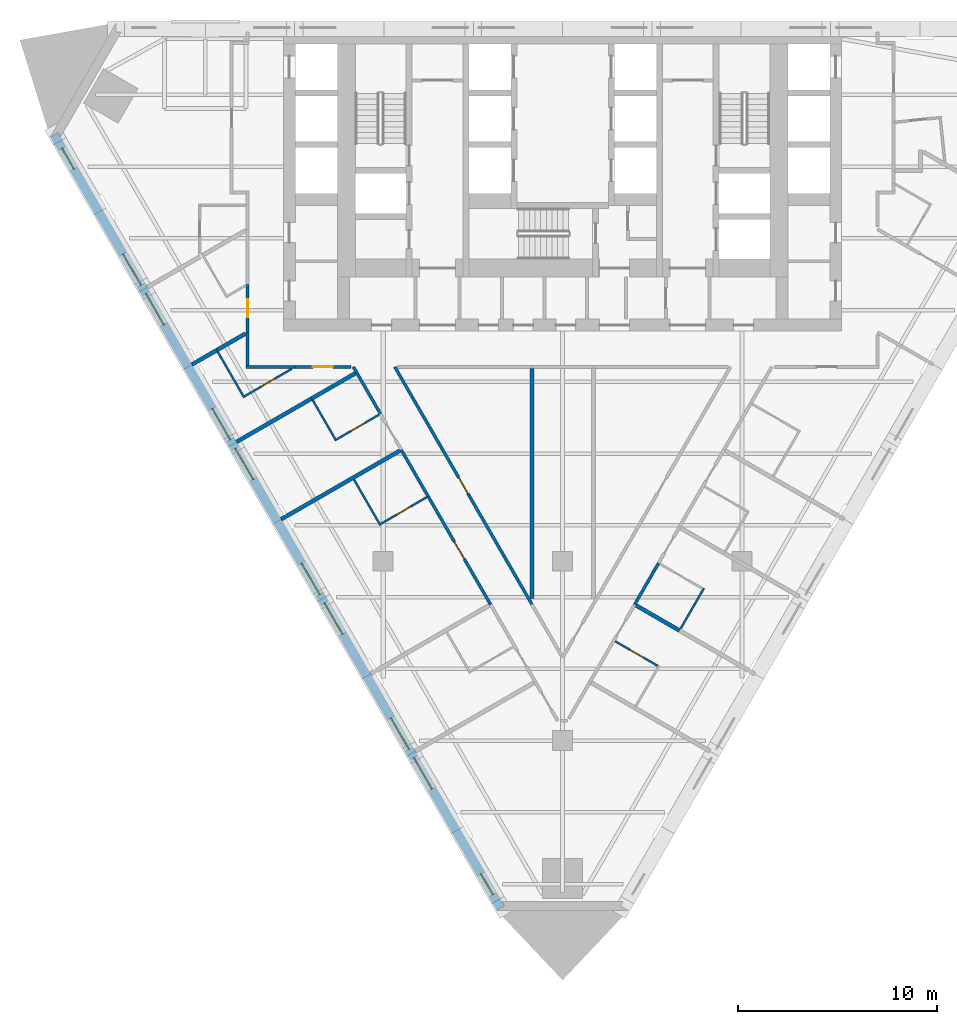
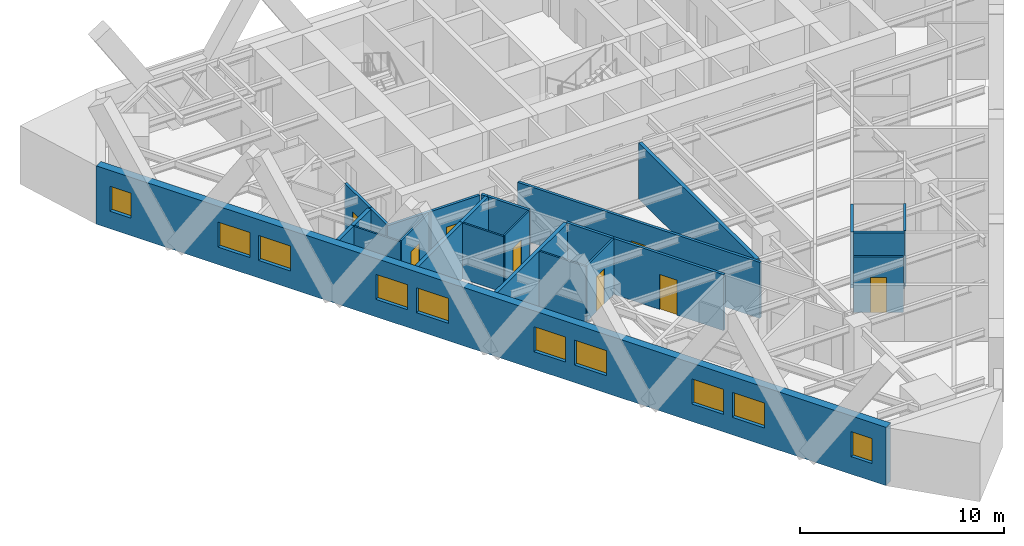
# One storey, part 3 of 9: 26 walls, 10 windows, 8 doors, 18 openings.
"""IFC4 building model written with IfcOpenShell, lengths in metres."""

from ifc_helpers import new_model, si_unit, direction, frame, frame_2d, origin, place, context, subcontext, project, spatial, polyline, rectangle, outline, extrude, material, layer, layer_set, type_object, element, fill, save


model = new_model("IFC4")

# Units and contexts
model_context = context("Model", 3, precision=1e-05, world=origin(), true_north=direction((0.0, 1.0)))
body_context = subcontext(model_context, "Body", "Model", "MODEL_VIEW")
ifc_project = project(units=[si_unit("LENGTHUNIT", "METRE"), si_unit("AREAUNIT", "SQUARE_METRE"), si_unit("VOLUMEUNIT", "CUBIC_METRE"), si_unit("PLANEANGLEUNIT", "RADIAN"), si_unit("MASSUNIT", "GRAM", prefix="KILO")], contexts=[model_context])

# Site, building, storey
site_placement = place(None, origin())
site = spatial("IfcSite", under=ifc_project, at=site_placement, CompositionType="ELEMENT")
building_placement = place(site_placement, origin())
building = spatial("IfcBuilding", under=site, at=building_placement, Name="Aloe Facet Convention Tower", CompositionType="ELEMENT")
storey_placement = place(building_placement, frame((0.0, 0.0, 42.0)))
storey = spatial("IfcBuildingStorey", under=building, at=storey_placement, Name="L08", CompositionType="ELEMENT", Elevation=42.0)

# Wall, openings, windows
ifc_material_1 = material(Name="Precast concrete C40/50", Category="concrete")
ifc_layer_1 = layer(ifc_material_1, 0.449951171875)
ifc_layer_set_1 = layer_set([ifc_layer_1], Name="EV-WALL-STONE")
wall_type_1 = type_object("IfcWallType", Name="EV-WALL-STONE", PredefinedType="SOLIDWALL", material=ifc_layer_set_1)
wall_1_placement = place(storey_placement, frame((54.494873046875, 129.396728515625, -0.14990234375), z_axis=(0.0, 0.0, 1.0), x_axis=(0.499999201451, -0.866025864826, 0.0)))
wall_1 = element("IfcWall", 1, at=wall_1_placement, inside=storey, type_object=wall_type_1, Name="EW-L08-W01", PredefinedType="SOLIDWALL", context=body_context, shape_type="SweptSolid", body=[
    extrude(outline(polyline([(44.800048828125, 0.0), (44.800048828125, 3.5), (0.0, 3.5), (0.0, 0.0), (44.800048828125, 0.0)])), frame((0.0, 0.22509765625, 0.0), z_axis=(0.0, -1.0, 0.0), x_axis=(1.0, 0.0, 0.0)), (0.0, 0.0, 1.0), 0.449951171875),
])
opening_1_placement = place(wall_1_placement, frame((0.7861328125, 0.0, 1.050048828125)))
opening_1 = element("IfcOpeningElement", 2, at=opening_1_placement, cuts=wall_1, Name="Opening W-L08-W01", PredefinedType="OPENING", context=body_context, shape_type="SweptSolid", body=[
    extrude(rectangle(XDim=1.199951171875, YDim=1.5, at=frame_2d((0.60009765625, 0.75))), frame((0.0, 0.23486328125, 0.0), z_axis=(0.0, -1.0, 0.0), x_axis=(1.0, 0.0, 0.0)), (0.0, 0.0, 1.0), 0.469970703125),
])
opening_2_placement = place(wall_1_placement, frame((6.909912109375, 0.0, 1.050048828125)))
opening_2 = element("IfcOpeningElement", 3, at=opening_2_placement, cuts=wall_1, Name="Opening W-L08-W02", PredefinedType="OPENING", context=body_context, shape_type="SweptSolid", body=[
    extrude(rectangle(XDim=1.800048828125, YDim=1.5, at=frame_2d((0.89990234375, 0.75))), frame((0.0, 0.23486328125, 0.0), z_axis=(0.0, -1.0, 0.0), x_axis=(1.0, 0.0, 0.0)), (0.0, 0.0, 1.0), 0.469970703125),
])
opening_3_placement = place(wall_1_placement, frame((9.2099609375, 0.0, 1.050048828125)))
opening_3 = element("IfcOpeningElement", 4, at=opening_3_placement, cuts=wall_1, Name="Opening W-L08-W03", PredefinedType="OPENING", context=body_context, shape_type="SweptSolid", body=[
    extrude(rectangle(XDim=1.800048828125, YDim=1.5, at=frame_2d((0.89990234375, 0.75))), frame((0.0, 0.23486328125, 0.0), z_axis=(0.0, -1.0, 0.0), x_axis=(1.0, 0.0, 0.0)), (0.0, 0.0, 1.0), 0.469970703125),
])
opening_4_placement = place(wall_1_placement, frame((15.8701171875, 0.0, 1.050048828125)))
opening_4 = element("IfcOpeningElement", 5, at=opening_4_placement, cuts=wall_1, Name="Opening W-L08-W04", PredefinedType="OPENING", context=body_context, shape_type="SweptSolid", body=[
    extrude(rectangle(XDim=1.800048828125, YDim=1.5, at=frame_2d((0.89990234375, 0.75))), frame((0.0, 0.23486328125, 0.0), z_axis=(0.0, -1.0, 0.0), x_axis=(1.0, 0.0, 0.0)), (0.0, 0.0, 1.0), 0.469970703125),
])
opening_5_placement = place(wall_1_placement, frame((18.169921875, 0.0, 1.050048828125)))
opening_5 = element("IfcOpeningElement", 6, at=opening_5_placement, cuts=wall_1, Name="Opening W-L08-W05", PredefinedType="OPENING", context=body_context, shape_type="SweptSolid", body=[
    extrude(rectangle(XDim=1.800048828125, YDim=1.5, at=frame_2d((0.89990234375, 0.75))), frame((0.0, 0.23486328125, 0.0), z_axis=(0.0, -1.0, 0.0), x_axis=(1.0, 0.0, 0.0)), (0.0, 0.0, 1.0), 0.469970703125),
])
opening_6_placement = place(wall_1_placement, frame((24.830078125, 0.0, 1.050048828125)))
opening_6 = element("IfcOpeningElement", 7, at=opening_6_placement, cuts=wall_1, Name="Opening W-L08-W06", PredefinedType="OPENING", context=body_context, shape_type="SweptSolid", body=[
    extrude(rectangle(XDim=1.800048828125, YDim=1.5, at=frame_2d((0.89990234375, 0.75))), frame((0.0, 0.23486328125, 0.0), z_axis=(0.0, -1.0, 0.0), x_axis=(1.0, 0.0, 0.0)), (0.0, 0.0, 1.0), 0.469970703125),
])
opening_7_placement = place(wall_1_placement, frame((27.1298828125, 0.0, 1.050048828125)))
opening_7 = element("IfcOpeningElement", 8, at=opening_7_placement, cuts=wall_1, Name="Opening W-L08-W07", PredefinedType="OPENING", context=body_context, shape_type="SweptSolid", body=[
    extrude(rectangle(XDim=1.800048828125, YDim=1.5, at=frame_2d((0.89990234375, 0.75))), frame((0.0, 0.23486328125, 0.0), z_axis=(0.0, -1.0, 0.0), x_axis=(1.0, 0.0, 0.0)), (0.0, 0.0, 1.0), 0.469970703125),
])
opening_8_placement = place(wall_1_placement, frame((33.7900390625, 0.0, 1.050048828125)))
opening_8 = element("IfcOpeningElement", 9, at=opening_8_placement, cuts=wall_1, Name="Opening W-L08-W08", PredefinedType="OPENING", context=body_context, shape_type="SweptSolid", body=[
    extrude(rectangle(XDim=1.800048828125, YDim=1.5, at=frame_2d((0.89990234375, 0.75))), frame((0.0, 0.23486328125, 0.0), z_axis=(0.0, -1.0, 0.0), x_axis=(1.0, 0.0, 0.0)), (0.0, 0.0, 1.0), 0.469970703125),
])
opening_9_placement = place(wall_1_placement, frame((36.090087890625, 0.0, 1.050048828125)))
opening_9 = element("IfcOpeningElement", 10, at=opening_9_placement, cuts=wall_1, Name="Opening W-L08-W09", PredefinedType="OPENING", context=body_context, shape_type="SweptSolid", body=[
    extrude(rectangle(XDim=1.800048828125, YDim=1.5, at=frame_2d((0.89990234375, 0.75))), frame((0.0, 0.23486328125, 0.0), z_axis=(0.0, -1.0, 0.0), x_axis=(1.0, 0.0, 0.0)), (0.0, 0.0, 1.0), 0.469970703125),
])
opening_10_placement = place(wall_1_placement, frame((42.81396484375, 0.0, 1.050048828125)))
opening_10 = element("IfcOpeningElement", 11, at=opening_10_placement, cuts=wall_1, Name="Opening W-L08-W10", PredefinedType="OPENING", context=body_context, shape_type="SweptSolid", body=[
    extrude(rectangle(XDim=1.199951171875, YDim=1.5, at=frame_2d((0.60009765625, 0.75))), frame((0.0, 0.23486328125, 0.0), z_axis=(0.0, -1.0, 0.0), x_axis=(1.0, 0.0, 0.0)), (0.0, 0.0, 1.0), 0.469970703125),
])
ifc_material_2 = material(Name="Aluminium frame, clear double glazing", Category="aluminium")
window_type_1 = type_object("IfcWindowType", Name="EV-WIN-H12", PartitioningType="SINGLE_PANEL", PredefinedType="WINDOW", material=ifc_material_2)
window_1_placement = place(opening_1_placement, origin())
window_1 = element("IfcWindow", 12, at=window_1_placement, inside=storey, type_object=window_type_1, Name="W-L08-W01", OverallHeight=1.5, OverallWidth=1.199951171875, PartitioningType="SINGLE_PANEL", PredefinedType="WINDOW", context=body_context, shape_type="SweptSolid", body=[
    extrude(rectangle(XDim=1.199951171875, YDim=1.5, at=frame_2d((0.60009765625, 0.75))), frame((0.0, 0.030029296875, 0.0), z_axis=(0.0, -1.0, 0.0), x_axis=(1.0, 0.0, 0.0)), (0.0, 0.0, 1.0), 0.06005859375),
])
fill(opening_1, window_1)
window_2_placement = place(opening_10_placement, origin())
window_2 = element("IfcWindow", 13, at=window_2_placement, inside=storey, type_object=window_type_1, Name="W-L08-W10", OverallHeight=1.5, OverallWidth=1.199951171875, PartitioningType="SINGLE_PANEL", PredefinedType="WINDOW", context=body_context, shape_type="SweptSolid", body=[
    extrude(rectangle(XDim=1.199951171875, YDim=1.5, at=frame_2d((0.60009765625, 0.75))), frame((0.0, 0.030029296875, 0.0), z_axis=(0.0, -1.0, 0.0), x_axis=(1.0, 0.0, 0.0)), (0.0, 0.0, 1.0), 0.06005859375),
])
fill(opening_10, window_2)
ifc_material_3 = material(Name="Aluminium frame, clear double glazing", Category="aluminium")
window_type_2 = type_object("IfcWindowType", Name="EV-WIN-H18", PartitioningType="SINGLE_PANEL", PredefinedType="WINDOW", material=ifc_material_3)
window_3_placement = place(opening_2_placement, origin())
window_3 = element("IfcWindow", 14, at=window_3_placement, inside=storey, type_object=window_type_2, Name="W-L08-W02", OverallHeight=1.5, OverallWidth=1.800048828125, PartitioningType="SINGLE_PANEL", PredefinedType="WINDOW", context=body_context, shape_type="SweptSolid", body=[
    extrude(rectangle(XDim=1.800048828125, YDim=1.5, at=frame_2d((0.89990234375, 0.75))), frame((0.0, 0.030029296875, 0.0), z_axis=(0.0, -1.0, 0.0), x_axis=(1.0, 0.0, 0.0)), (0.0, 0.0, 1.0), 0.06005859375),
])
fill(opening_2, window_3)
window_4_placement = place(opening_3_placement, origin())
window_4 = element("IfcWindow", 15, at=window_4_placement, inside=storey, type_object=window_type_2, Name="W-L08-W03", OverallHeight=1.5, OverallWidth=1.800048828125, PartitioningType="SINGLE_PANEL", PredefinedType="WINDOW", context=body_context, shape_type="SweptSolid", body=[
    extrude(rectangle(XDim=1.800048828125, YDim=1.5, at=frame_2d((0.89990234375, 0.75))), frame((0.0, 0.030029296875, 0.0), z_axis=(0.0, -1.0, 0.0), x_axis=(1.0, 0.0, 0.0)), (0.0, 0.0, 1.0), 0.06005859375),
])
fill(opening_3, window_4)
window_5_placement = place(opening_4_placement, origin())
window_5 = element("IfcWindow", 16, at=window_5_placement, inside=storey, type_object=window_type_2, Name="W-L08-W04", OverallHeight=1.5, OverallWidth=1.800048828125, PartitioningType="SINGLE_PANEL", PredefinedType="WINDOW", context=body_context, shape_type="SweptSolid", body=[
    extrude(rectangle(XDim=1.800048828125, YDim=1.5, at=frame_2d((0.89990234375, 0.75))), frame((0.0, 0.030029296875, 0.0), z_axis=(0.0, -1.0, 0.0), x_axis=(1.0, 0.0, 0.0)), (0.0, 0.0, 1.0), 0.06005859375),
])
fill(opening_4, window_5)
window_6_placement = place(opening_5_placement, origin())
window_6 = element("IfcWindow", 17, at=window_6_placement, inside=storey, type_object=window_type_2, Name="W-L08-W05", OverallHeight=1.5, OverallWidth=1.800048828125, PartitioningType="SINGLE_PANEL", PredefinedType="WINDOW", context=body_context, shape_type="SweptSolid", body=[
    extrude(rectangle(XDim=1.800048828125, YDim=1.5, at=frame_2d((0.89990234375, 0.75))), frame((0.0, 0.030029296875, 0.0), z_axis=(0.0, -1.0, 0.0), x_axis=(1.0, 0.0, 0.0)), (0.0, 0.0, 1.0), 0.06005859375),
])
fill(opening_5, window_6)
window_7_placement = place(opening_6_placement, origin())
window_7 = element("IfcWindow", 18, at=window_7_placement, inside=storey, type_object=window_type_2, Name="W-L08-W06", OverallHeight=1.5, OverallWidth=1.800048828125, PartitioningType="SINGLE_PANEL", PredefinedType="WINDOW", context=body_context, shape_type="SweptSolid", body=[
    extrude(rectangle(XDim=1.800048828125, YDim=1.5, at=frame_2d((0.89990234375, 0.75))), frame((0.0, 0.030029296875, 0.0), z_axis=(0.0, -1.0, 0.0), x_axis=(1.0, 0.0, 0.0)), (0.0, 0.0, 1.0), 0.06005859375),
])
fill(opening_6, window_7)
window_8_placement = place(opening_7_placement, origin())
window_8 = element("IfcWindow", 19, at=window_8_placement, inside=storey, type_object=window_type_2, Name="W-L08-W07", OverallHeight=1.5, OverallWidth=1.800048828125, PartitioningType="SINGLE_PANEL", PredefinedType="WINDOW", context=body_context, shape_type="SweptSolid", body=[
    extrude(rectangle(XDim=1.800048828125, YDim=1.5, at=frame_2d((0.89990234375, 0.75))), frame((0.0, 0.030029296875, 0.0), z_axis=(0.0, -1.0, 0.0), x_axis=(1.0, 0.0, 0.0)), (0.0, 0.0, 1.0), 0.06005859375),
])
fill(opening_7, window_8)
window_9_placement = place(opening_8_placement, origin())
window_9 = element("IfcWindow", 20, at=window_9_placement, inside=storey, type_object=window_type_2, Name="W-L08-W08", OverallHeight=1.5, OverallWidth=1.800048828125, PartitioningType="SINGLE_PANEL", PredefinedType="WINDOW", context=body_context, shape_type="SweptSolid", body=[
    extrude(rectangle(XDim=1.800048828125, YDim=1.5, at=frame_2d((0.89990234375, 0.75))), frame((0.0, 0.030029296875, 0.0), z_axis=(0.0, -1.0, 0.0), x_axis=(1.0, 0.0, 0.0)), (0.0, 0.0, 1.0), 0.06005859375),
])
fill(opening_8, window_9)
window_10_placement = place(opening_9_placement, origin())
window_10 = element("IfcWindow", 21, at=window_10_placement, inside=storey, type_object=window_type_2, Name="W-L08-W09", OverallHeight=1.5, OverallWidth=1.800048828125, PartitioningType="SINGLE_PANEL", PredefinedType="WINDOW", context=body_context, shape_type="SweptSolid", body=[
    extrude(rectangle(XDim=1.800048828125, YDim=1.5, at=frame_2d((0.89990234375, 0.75))), frame((0.0, 0.030029296875, 0.0), z_axis=(0.0, -1.0, 0.0), x_axis=(1.0, 0.0, 0.0)), (0.0, 0.0, 1.0), 0.06005859375),
])
fill(opening_9, window_10)

# Wall, opening, door
ifc_material_4 = material(Name="Gypsum board partition on steel studs", Category="steel")
ifc_layer_2 = layer(ifc_material_4, 0.14990234375)
ifc_layer_set_2 = layer_set([ifc_layer_2], Name="IN-W-CORR")
wall_type_2 = type_object("IfcWallType", Name="IN-W-CORR", PredefinedType="PARTITIONING", material=ifc_layer_set_2)
wall_2_placement = place(storey_placement, frame((73.253662109375, 111.255615234375, 0.0), z_axis=(0.0, 0.0, 1.0), x_axis=(0.5000044583, -0.866022829768, 0.0)))
wall_2 = element("IfcWall", 22, at=wall_2_placement, inside=storey, type_object=wall_type_2, Name="Partition L08-W023", PredefinedType="PARTITIONING", context=body_context, shape_type="SweptSolid", body=[
    extrude(rectangle(XDim=6.27001953125, YDim=0.14990234375, at=frame_2d((3.135009765625, 0.0))), origin(), (0.0, 0.0, 1.0), 3.35009765625),
])
opening_11_placement = place(wall_2_placement, frame((2.635009765625, 0.0, 0.0)))
opening_11 = element("IfcOpeningElement", 23, at=opening_11_placement, cuts=wall_2, Name="Opening L08-005", PredefinedType="OPENING", context=body_context, shape_type="SweptSolid", body=[
    extrude(rectangle(XDim=1.0, YDim=2.10009765625, at=frame_2d((0.5, 1.050048828125))), frame((0.0, 0.0849609375, 0.0), z_axis=(0.0, -1.0, 0.0), x_axis=(1.0, 0.0, 0.0)), (0.0, 0.0, 1.0), 0.169921875),
])
ifc_material_5 = material(Name="Hardwood flush door FD30S", Category="wood")
door_type_1 = type_object("IfcDoorType", Name="IN-D-WIDE", OperationType="SINGLE_SWING_LEFT", PredefinedType="DOOR", material=ifc_material_5)
door_1_placement = place(opening_11_placement, origin())
door_1 = element("IfcDoor", 24, at=door_1_placement, inside=storey, type_object=door_type_1, Name="Door L08-005", OperationType="SINGLE_SWING_LEFT", OverallHeight=2.10009765625, OverallWidth=1.0, PredefinedType="DOOR", context=body_context, shape_type="SweptSolid", body=[
    extrude(rectangle(XDim=1.0, YDim=2.10009765625, at=frame_2d((0.5, 1.050048828125))), frame((0.0, 0.02490234375, 0.0), z_axis=(0.0, -1.0, 0.0), x_axis=(1.0, 0.0, 0.0)), (0.0, 0.0, 1.0), 0.050048828125),
])
fill(opening_11, door_1)

# Walls
wall_3_placement = place(storey_placement, frame((83.611328125, 105.82568359375, 0.0), z_axis=(0.0, 0.0, 1.0), x_axis=(0.500077600433, 0.865980596518, 0.0)))
element("IfcWall", 25, at=wall_3_placement, inside=storey, type_object=wall_type_2, Name="Partition L08-W025", PredefinedType="PARTITIONING", context=body_context, shape_type="SweptSolid", body=[
    extrude(rectangle(XDim=2.39990234375, YDim=0.14990234375, at=frame_2d((1.199951171875, 0.0))), origin(), (0.0, 0.0, 1.0), 3.35009765625),
])
wall_4_placement = place(storey_placement, frame((71.90869140625, 113.585205078125, 0.0), z_axis=(0.0, 0.0, 1.0), x_axis=(0.499994808408, -0.866028401131, 0.0)))
element("IfcWall", 26, at=wall_4_placement, inside=storey, type_object=wall_type_2, Name="Partition L08-W047", PredefinedType="PARTITIONING", context=body_context, shape_type="SweptSolid", body=[
    extrude(rectangle(XDim=2.68994140625, YDim=0.14990234375, at=frame_2d((1.344970703125, 0.0))), origin(), (0.0, 0.0, 1.0), 3.35009765625),
])
wall_5_placement = place(storey_placement, frame((69.668701171875, 117.465087890625, 0.0), z_axis=(0.0, 0.0, 1.0), x_axis=(0.499940577336, -0.866059708757, 0.0)))
element("IfcWall", 27, at=wall_5_placement, inside=storey, type_object=wall_type_2, Name="Partition L08-W060", PredefinedType="PARTITIONING", context=body_context, shape_type="SweptSolid", body=[
    extrude(rectangle(XDim=2.389892578125, YDim=0.14990234375, at=frame_2d((1.19482421875, 0.0))), origin(), (0.0, 0.0, 1.0), 3.35009765625),
])
wall_6_placement = place(storey_placement, frame((69.504150390625, 117.75, 0.0), z_axis=(0.0, 0.0, 1.0), x_axis=(0.500129239174, -0.865950774653, 0.0)))
element("IfcWall", 28, at=wall_6_placement, inside=storey, type_object=wall_type_2, Name="Partition L08-W061", PredefinedType="PARTITIONING", context=body_context, shape_type="SweptSolid", body=[
    extrude(rectangle(XDim=0.3291015625, YDim=0.14990234375, at=frame_2d((0.16455078125, 0.0))), origin(), (0.0, 0.0, 1.0), 3.35009765625),
])
wall_7_placement = place(storey_placement, frame((64.125, 117.75, 0.0), z_axis=(0.0, 0.0, 1.0), x_axis=(1.0, 0.0, 0.0)))
element("IfcWall", 29, at=wall_7_placement, inside=storey, type_object=wall_type_2, Name="Partition L08-W062", PredefinedType="PARTITIONING", context=body_context, shape_type="SweptSolid", body=[
    extrude(rectangle(XDim=2.45703125, YDim=0.14990234375, at=frame_2d((1.228515625, 0.0))), origin(), (0.0, 0.0, 1.0), 3.35009765625),
])

# Wall, opening, door
wall_8_placement = place(storey_placement, frame((66.58203125, 117.75, 0.0), z_axis=(0.0, 0.0, 1.0), x_axis=(1.0, 0.0, 0.0)))
wall_8 = element("IfcWall", 30, at=wall_8_placement, inside=storey, type_object=wall_type_2, Name="Partition L08-W064", PredefinedType="PARTITIONING", context=body_context, shape_type="SweptSolid", body=[
    extrude(rectangle(XDim=2.792236328125, YDim=0.14990234375, at=frame_2d((1.39599609375, 0.0))), origin(), (0.0, 0.0, 1.0), 3.35009765625),
])
opening_12_placement = place(wall_8_placement, frame((0.89599609375, 0.0, 0.0)))
opening_12 = element("IfcOpeningElement", 31, at=opening_12_placement, cuts=wall_8, Name="Opening L08-003", PredefinedType="OPENING", context=body_context, shape_type="SweptSolid", body=[
    extrude(rectangle(XDim=1.0, YDim=2.10009765625, at=frame_2d((0.5, 1.050048828125))), frame((0.0, 0.0849609375, 0.0), z_axis=(0.0, -1.0, 0.0), x_axis=(1.0, 0.0, 0.0)), (0.0, 0.0, 1.0), 0.169921875),
])
door_2_placement = place(opening_12_placement, origin())
door_2 = element("IfcDoor", 32, at=door_2_placement, inside=storey, type_object=door_type_1, Name="Door L08-003", OperationType="SINGLE_SWING_LEFT", OverallHeight=2.10009765625, OverallWidth=1.0, PredefinedType="DOOR", context=body_context, shape_type="SweptSolid", body=[
    extrude(rectangle(XDim=1.0, YDim=2.10009765625, at=frame_2d((0.5, 1.050048828125))), frame((0.0, 0.02490234375, 0.0), z_axis=(0.0, -1.0, 0.0), x_axis=(1.0, 0.0, 0.0)), (0.0, 0.0, 1.0), 0.050048828125),
])
fill(opening_12, door_2)

wall_9_placement = place(storey_placement, frame((71.58251953125, 117.75, 0.0), z_axis=(0.0, 0.0, 1.0), x_axis=(0.500001770766, -0.86602438143, 0.0)))
wall_9 = element("IfcWall", 33, at=wall_9_placement, inside=storey, type_object=wall_type_2, Name="Partition L08-W065", PredefinedType="PARTITIONING", context=body_context, shape_type="SweptSolid", body=[
    extrude(rectangle(XDim=13.7451171875, YDim=0.14990234375, at=frame_2d((6.87255859375, 0.0))), origin(), (0.0, 0.0, 1.0), 3.35009765625),
])
opening_13_placement = place(wall_9_placement, frame((6.42236328125, 0.0, 0.0)))
opening_13 = element("IfcOpeningElement", 34, at=opening_13_placement, cuts=wall_9, Name="Opening L08-014", PredefinedType="OPENING", context=body_context, shape_type="SweptSolid", body=[
    extrude(rectangle(XDim=0.89990234375, YDim=2.10009765625, at=frame_2d((0.449951171875, 1.050048828125))), frame((0.0, 0.0849609375, 0.0), z_axis=(0.0, -1.0, 0.0), x_axis=(1.0, 0.0, 0.0)), (0.0, 0.0, 1.0), 0.169921875),
])
ifc_material_6 = material(Name="Hardwood flush door FD30S", Category="wood")
door_type_2 = type_object("IfcDoorType", Name="IN-D-GUEST", OperationType="SINGLE_SWING_LEFT", PredefinedType="DOOR", material=ifc_material_6)
door_3_placement = place(opening_13_placement, origin())
door_3 = element("IfcDoor", 35, at=door_3_placement, inside=storey, type_object=door_type_2, Name="Door L08-014", OperationType="SINGLE_SWING_LEFT", OverallHeight=2.10009765625, OverallWidth=0.89990234375, PredefinedType="DOOR", context=body_context, shape_type="SweptSolid", body=[
    extrude(rectangle(XDim=0.89990234375, YDim=2.10009765625, at=frame_2d((0.449951171875, 1.050048828125))), frame((0.0, 0.02490234375, 0.0), z_axis=(0.0, -1.0, 0.0), x_axis=(1.0, 0.0, 0.0)), (0.0, 0.0, 1.0), 0.050048828125),
])
fill(opening_13, door_3)

# Wall
wall_10_placement = place(storey_placement, frame((64.199951171875, 117.824951171875, 0.0), z_axis=(0.0, 0.0, 1.0), x_axis=(0.0, 1.0, 0.0)))
element("IfcWall", 36, at=wall_10_placement, inside=storey, type_object=wall_type_2, Name="Partition L08-W074", PredefinedType="PARTITIONING", context=body_context, shape_type="SweptSolid", body=[
    extrude(rectangle(XDim=1.65576171875, YDim=0.14990234375, at=frame_2d((0.827880859375, 0.0))), origin(), (0.0, 0.0, 1.0), 3.35009765625),
])

# Wall, opening, door
wall_11_placement = place(storey_placement, frame((64.199951171875, 119.480712890625, 0.0), z_axis=(0.0, 0.0, 1.0), x_axis=(0.0, 1.0, 0.0)))
wall_11 = element("IfcWall", 37, at=wall_11_placement, inside=storey, type_object=wall_type_2, Name="Partition L08-W075", PredefinedType="PARTITIONING", context=body_context, shape_type="SweptSolid", body=[
    extrude(rectangle(XDim=2.413330078125, YDim=0.14990234375, at=frame_2d((1.20654296875, 0.0))), origin(), (0.0, 0.0, 1.0), 3.35009765625),
])
opening_14_placement = place(wall_11_placement, frame((0.756591796875, 0.0, 0.0)))
opening_14 = element("IfcOpeningElement", 38, at=opening_14_placement, cuts=wall_11, Name="Opening L08-002", PredefinedType="OPENING", context=body_context, shape_type="SweptSolid", body=[
    extrude(rectangle(XDim=0.89990234375, YDim=2.10009765625, at=frame_2d((0.449951171875, 1.050048828125))), frame((0.0, 0.0849609375, 0.0), z_axis=(0.0, -1.0, 0.0), x_axis=(1.0, 0.0, 0.0)), (0.0, 0.0, 1.0), 0.169921875),
])
door_4_placement = place(opening_14_placement, origin())
door_4 = element("IfcDoor", 39, at=door_4_placement, inside=storey, type_object=door_type_2, Name="Door L08-002", OperationType="SINGLE_SWING_LEFT", OverallHeight=2.10009765625, OverallWidth=0.89990234375, PredefinedType="DOOR", context=body_context, shape_type="SweptSolid", body=[
    extrude(rectangle(XDim=0.89990234375, YDim=2.10009765625, at=frame_2d((0.449951171875, 1.050048828125))), frame((0.0, 0.02490234375, 0.0), z_axis=(0.0, -1.0, 0.0), x_axis=(1.0, 0.0, 0.0)), (0.0, 0.0, 1.0), 0.050048828125),
])
fill(opening_14, door_4)

ifc_material_7 = material(Name="Gypsum board partition on steel studs", Category="steel")
ifc_layer_3 = layer(ifc_material_7, 0.10009765625)
ifc_layer_set_3 = layer_set([ifc_layer_3], Name="IN-W-PART")
wall_type_3 = type_object("IfcWallType", Name="IN-W-PART", PredefinedType="PARTITIONING", material=ifc_layer_set_3)
wall_12_placement = place(storey_placement, frame((82.636474609375, 103.98681640625, 0.0), z_axis=(0.0, 0.0, 1.0), x_axis=(0.866006523861, -0.500032699561, 0.0)))
wall_12 = element("IfcWall", 40, at=wall_12_placement, inside=storey, type_object=wall_type_3, Name="Partition L08-W016", PredefinedType="PARTITIONING", context=body_context, shape_type="SweptSolid", body=[
    extrude(rectangle(XDim=2.474853515625, YDim=0.10009765625, at=frame_2d((1.2373046875, 0.0))), origin(), (0.0, 0.0, 1.0), 3.35009765625),
])
opening_15_placement = place(wall_12_placement, frame((0.83740234375, 0.0, 0.0)))
opening_15 = element("IfcOpeningElement", 41, at=opening_15_placement, cuts=wall_12, Name="Opening L08-023", PredefinedType="OPENING", context=body_context, shape_type="SweptSolid", body=[
    extrude(rectangle(XDim=0.800048828125, YDim=2.10009765625, at=frame_2d((0.39990234375, 1.050048828125))), frame((0.0, 0.06005859375, 0.0), z_axis=(0.0, -1.0, 0.0), x_axis=(1.0, 0.0, 0.0)), (0.0, 0.0, 1.0), 0.1201171875),
])
ifc_material_8 = material(Name="Timber flush door", Category="wood")
door_type_3 = type_object("IfcDoorType", Name="IN-D-BATH", OperationType="SINGLE_SWING_LEFT", PredefinedType="DOOR", material=ifc_material_8)
door_5_placement = place(opening_15_placement, origin())
door_5 = element("IfcDoor", 42, at=door_5_placement, inside=storey, type_object=door_type_3, Name="Door L08-023", OperationType="SINGLE_SWING_LEFT", OverallHeight=2.10009765625, OverallWidth=0.800048828125, PredefinedType="DOOR", context=body_context, shape_type="SweptSolid", body=[
    extrude(rectangle(XDim=0.800048828125, YDim=2.10009765625, at=frame_2d((0.39990234375, 1.050048828125))), frame((0.0, 0.02490234375, 0.0), z_axis=(0.0, -1.0, 0.0), x_axis=(1.0, 0.0, 0.0)), (0.0, 0.0, 1.0), 0.050048828125),
])
fill(opening_15, door_5)

# Walls
wall_13_placement = place(storey_placement, frame((85.91796875, 104.620849609375, 0.0), z_axis=(0.0, 0.0, 1.0), x_axis=(0.500032503492, 0.866006637072, 0.0)))
element("IfcWall", 43, at=wall_13_placement, inside=storey, type_object=wall_type_3, Name="Partition L08-W031", PredefinedType="PARTITIONING", context=body_context, shape_type="SweptSolid", body=[
    extrude(rectangle(XDim=2.340087890625, YDim=0.10009765625, at=frame_2d((1.169921875, 0.0))), origin(), (0.0, 0.0, 1.0), 3.35009765625),
])
wall_14_placement = place(storey_placement, frame((69.53369140625, 112.0986328125, 0.0), z_axis=(0.0, 0.0, 1.0), x_axis=(0.499993606316, -0.866029095148, 0.0)))
element("IfcWall", 44, at=wall_14_placement, inside=storey, type_object=wall_type_3, Name="Partition L08-W037", PredefinedType="PARTITIONING", context=body_context, shape_type="SweptSolid", body=[
    extrude(rectangle(XDim=2.64990234375, YDim=0.10009765625, at=frame_2d((1.324951171875, 0.0))), origin(), (0.0, 0.0, 1.0), 3.35009765625),
])

# Wall, opening, door
wall_15_placement = place(storey_placement, frame((70.885498046875, 109.877197265625, 0.0), z_axis=(0.0, 0.0, 1.0), x_axis=(0.864248761918, 0.503064685228, 0.0)))
wall_15 = element("IfcWall", 45, at=wall_15_placement, inside=storey, type_object=wall_type_3, Name="Partition L08-W041", PredefinedType="PARTITIONING", context=body_context, shape_type="SweptSolid", body=[
    extrude(rectangle(XDim=2.655029296875, YDim=0.10009765625, at=frame_2d((1.32763671875, 0.0))), origin(), (0.0, 0.0, 1.0), 3.35009765625),
])
opening_16_placement = place(wall_15_placement, frame((0.927490234375, 0.0, 0.0)))
opening_16 = element("IfcOpeningElement", 46, at=opening_16_placement, cuts=wall_15, Name="Opening L08-021", PredefinedType="OPENING", context=body_context, shape_type="SweptSolid", body=[
    extrude(rectangle(XDim=0.800048828125, YDim=2.10009765625, at=frame_2d((0.39990234375, 1.050048828125))), frame((0.0, 0.06005859375, 0.0), z_axis=(0.0, -1.0, 0.0), x_axis=(1.0, 0.0, 0.0)), (0.0, 0.0, 1.0), 0.1201171875),
])
door_6_placement = place(opening_16_placement, origin())
door_6 = element("IfcDoor", 47, at=door_6_placement, inside=storey, type_object=door_type_3, Name="Door L08-021", OperationType="SINGLE_SWING_LEFT", OverallHeight=2.10009765625, OverallWidth=0.800048828125, PredefinedType="DOOR", context=body_context, shape_type="SweptSolid", body=[
    extrude(rectangle(XDim=0.800048828125, YDim=2.10009765625, at=frame_2d((0.39990234375, 1.050048828125))), frame((0.0, 0.02490234375, 0.0), z_axis=(0.0, -1.0, 0.0), x_axis=(1.0, 0.0, 0.0)), (0.0, 0.0, 1.0), 0.050048828125),
])
fill(opening_16, door_6)

# Wall
wall_16_placement = place(storey_placement, frame((67.471923828125, 116.06982421875, 0.0), z_axis=(0.0, 0.0, 1.0), x_axis=(0.499954256575, -0.866051812152, 0.0)))
element("IfcWall", 48, at=wall_16_placement, inside=storey, type_object=wall_type_3, Name="Partition L08-W054", PredefinedType="PARTITIONING", context=body_context, shape_type="SweptSolid", body=[
    extrude(rectangle(XDim=2.340087890625, YDim=0.10009765625, at=frame_2d((1.169921875, 0.0))), origin(), (0.0, 0.0, 1.0), 3.35009765625),
])

# Wall, opening, door
wall_17_placement = place(storey_placement, frame((68.668701171875, 114.11669921875, 0.0), z_axis=(0.0, 0.0, 1.0), x_axis=(0.864063696467, 0.503382487227, 0.0)))
wall_17 = element("IfcWall", 49, at=wall_17_placement, inside=storey, type_object=wall_type_3, Name="Partition L08-W056", PredefinedType="PARTITIONING", context=body_context, shape_type="SweptSolid", body=[
    extrude(rectangle(XDim=2.455078125, YDim=0.10009765625, at=frame_2d((1.2275390625, 0.0))), origin(), (0.0, 0.0, 1.0), 3.35009765625),
])
opening_17_placement = place(wall_17_placement, frame((0.827392578125, 0.0, 0.0)))
opening_17 = element("IfcOpeningElement", 50, at=opening_17_placement, cuts=wall_17, Name="Opening L08-020", PredefinedType="OPENING", context=body_context, shape_type="SweptSolid", body=[
    extrude(rectangle(XDim=0.800048828125, YDim=2.10009765625, at=frame_2d((0.39990234375, 1.050048828125))), frame((0.0, 0.06005859375, 0.0), z_axis=(0.0, -1.0, 0.0), x_axis=(1.0, 0.0, 0.0)), (0.0, 0.0, 1.0), 0.1201171875),
])
door_7_placement = place(opening_17_placement, origin())
door_7 = element("IfcDoor", 51, at=door_7_placement, inside=storey, type_object=door_type_3, Name="Door L08-020", OperationType="SINGLE_SWING_LEFT", OverallHeight=2.10009765625, OverallWidth=0.800048828125, PredefinedType="DOOR", context=body_context, shape_type="SweptSolid", body=[
    extrude(rectangle(XDim=0.800048828125, YDim=2.10009765625, at=frame_2d((0.39990234375, 1.050048828125))), frame((0.0, 0.02490234375, 0.0), z_axis=(0.0, -1.0, 0.0), x_axis=(1.0, 0.0, 0.0)), (0.0, 0.0, 1.0), 0.050048828125),
])
fill(opening_17, door_7)

# Wall
wall_18_placement = place(storey_placement, frame((62.708984375, 118.492919921875, 0.0), z_axis=(0.0, 0.0, 1.0), x_axis=(0.500048002682, -0.865997687649, 0.0)))
element("IfcWall", 52, at=wall_18_placement, inside=storey, type_object=wall_type_3, Name="Partition L08-W059", PredefinedType="PARTITIONING", context=body_context, shape_type="SweptSolid", body=[
    extrude(rectangle(XDim=2.639892578125, YDim=0.10009765625, at=frame_2d((1.31982421875, 0.0))), origin(), (0.0, 0.0, 1.0), 3.35009765625),
])

# Wall, opening, door
wall_19_placement = place(storey_placement, frame((64.055908203125, 116.2802734375, 0.0), z_axis=(0.0, 0.0, 1.0), x_axis=(0.864358276906, 0.50287649492, 0.0)))
wall_19 = element("IfcWall", 53, at=wall_19_placement, inside=storey, type_object=wall_type_3, Name="Partition L08-W063", PredefinedType="PARTITIONING", context=body_context, shape_type="SweptSolid", body=[
    extrude(rectangle(XDim=2.7177734375, YDim=0.10009765625, at=frame_2d((1.35888671875, 0.0))), origin(), (0.0, 0.0, 1.0), 3.35009765625),
])
opening_18_placement = place(wall_19_placement, frame((0.958740234375, 0.0, 0.0)))
opening_18 = element("IfcOpeningElement", 54, at=opening_18_placement, cuts=wall_19, Name="Opening L08-019", PredefinedType="OPENING", context=body_context, shape_type="SweptSolid", body=[
    extrude(rectangle(XDim=0.800048828125, YDim=2.10009765625, at=frame_2d((0.39990234375, 1.050048828125))), frame((0.0, 0.06005859375, 0.0), z_axis=(0.0, -1.0, 0.0), x_axis=(1.0, 0.0, 0.0)), (0.0, 0.0, 1.0), 0.1201171875),
])
door_8_placement = place(opening_18_placement, origin())
door_8 = element("IfcDoor", 55, at=door_8_placement, inside=storey, type_object=door_type_3, Name="Door L08-019", OperationType="SINGLE_SWING_LEFT", OverallHeight=2.10009765625, OverallWidth=0.800048828125, PredefinedType="DOOR", context=body_context, shape_type="SweptSolid", body=[
    extrude(rectangle(XDim=0.800048828125, YDim=2.10009765625, at=frame_2d((0.39990234375, 1.050048828125))), frame((0.0, 0.02490234375, 0.0), z_axis=(0.0, -1.0, 0.0), x_axis=(1.0, 0.0, 0.0)), (0.0, 0.0, 1.0), 0.050048828125),
])
fill(opening_18, door_8)

# Walls
ifc_material_9 = material(Name="Gypsum board partition on steel studs", Category="steel")
ifc_layer_4 = layer(ifc_material_9, 0.199951171875)
ifc_layer_set_4 = layer_set([ifc_layer_4], Name="IN-W-PARTY")
wall_type_4 = type_object("IfcWallType", Name="IN-W-PARTY", PredefinedType="PARTITIONING", material=ifc_layer_set_4)
wall_20_placement = place(storey_placement, frame((83.68505859375, 105.783203125, 0.0), z_axis=(0.0, 0.0, 1.0), x_axis=(0.866006140796, -0.500033362991, 0.0)))
element("IfcWall", 56, at=wall_20_placement, inside=storey, type_object=wall_type_4, Name="Partition L08-W019", PredefinedType="PARTITIONING", context=body_context, shape_type="SweptSolid", body=[
    extrude(rectangle(XDim=2.514892578125, YDim=0.199951171875, at=frame_2d((1.25732421875, 0.0))), origin(), (0.0, 0.0, 1.0), 3.35009765625),
])
wall_21_placement = place(storey_placement, frame((78.455078125, 106.1416015625, 0.0), z_axis=(0.0, 0.0, 1.0), x_axis=(0.0, 1.0, 0.0)))
element("IfcWall", 57, at=wall_21_placement, inside=storey, type_object=wall_type_4, Name="Partition L08-W027", PredefinedType="PARTITIONING", context=body_context, shape_type="SweptSolid", body=[
    extrude(rectangle(XDim=11.533447265625, YDim=0.199951171875, at=frame_2d((5.7666015625, 0.0))), origin(), (0.0, 0.0, 1.0), 3.35009765625),
])
wall_22_placement = place(storey_placement, frame((65.8896484375, 110.1103515625, 0.0), z_axis=(0.0, 0.0, 1.0), x_axis=(0.86603516302, 0.499983096127, 0.0)))
element("IfcWall", 58, at=wall_22_placement, inside=storey, type_object=wall_type_4, Name="Partition L08-W038", PredefinedType="PARTITIONING", context=body_context, shape_type="SweptSolid", body=[
    extrude(rectangle(XDim=6.864990234375, YDim=0.199951171875, at=frame_2d((3.4326171875, 0.0))), origin(), (0.0, 0.0, 1.0), 3.35009765625),
])
wall_23_placement = place(storey_placement, frame((63.649658203125, 113.989990234375, 0.0), z_axis=(0.0, 0.0, 1.0), x_axis=(0.866027639635, 0.499996127374, 0.0)))
element("IfcWall", 59, at=wall_23_placement, inside=storey, type_object=wall_type_4, Name="Partition L08-W053", PredefinedType="PARTITIONING", context=body_context, shape_type="SweptSolid", body=[
    extrude(rectangle(XDim=4.35009765625, YDim=0.199951171875, at=frame_2d((2.175048828125, 0.0))), origin(), (0.0, 0.0, 1.0), 3.35009765625),
])
wall_24_placement = place(storey_placement, frame((67.4169921875, 116.1650390625, 0.0), z_axis=(0.0, 0.0, 1.0), x_axis=(0.866006140796, 0.500033362991, 0.0)))
element("IfcWall", 60, at=wall_24_placement, inside=storey, type_object=wall_type_4, Name="Partition L08-W058", PredefinedType="PARTITIONING", context=body_context, shape_type="SweptSolid", body=[
    extrude(rectangle(XDim=2.514892578125, YDim=0.199951171875, at=frame_2d((1.25732421875, 0.0))), origin(), (0.0, 0.0, 1.0), 3.35009765625),
])
wall_25_placement = place(storey_placement, frame((61.40966796875, 117.869873046875, 0.0), z_axis=(0.0, 0.0, 1.0), x_axis=(0.866007328409, 0.500031306162, 0.0)))
element("IfcWall", 61, at=wall_25_placement, inside=storey, type_object=wall_type_4, Name="Partition L08-W071", PredefinedType="PARTITIONING", context=body_context, shape_type="SweptSolid", body=[
    extrude(rectangle(XDim=1.43701171875, YDim=0.199951171875, at=frame_2d((0.718505859375, 0.0))), origin(), (0.0, 0.0, 1.0), 3.35009765625),
])
wall_26_placement = place(storey_placement, frame((62.654052734375, 118.58837890625, 0.0), z_axis=(0.0, 0.0, 1.0), x_axis=(0.866090081402, 0.499887958344, 0.0)))
element("IfcWall", 62, at=wall_26_placement, inside=storey, type_object=wall_type_4, Name="Partition L08-W073", PredefinedType="PARTITIONING", context=body_context, shape_type="SweptSolid", body=[
    extrude(rectangle(XDim=1.66015625, YDim=0.199951171875, at=frame_2d((0.830078125, 0.0))), origin(), (0.0, 0.0, 1.0), 3.35009765625),
])

save(model, "model.ifc")
